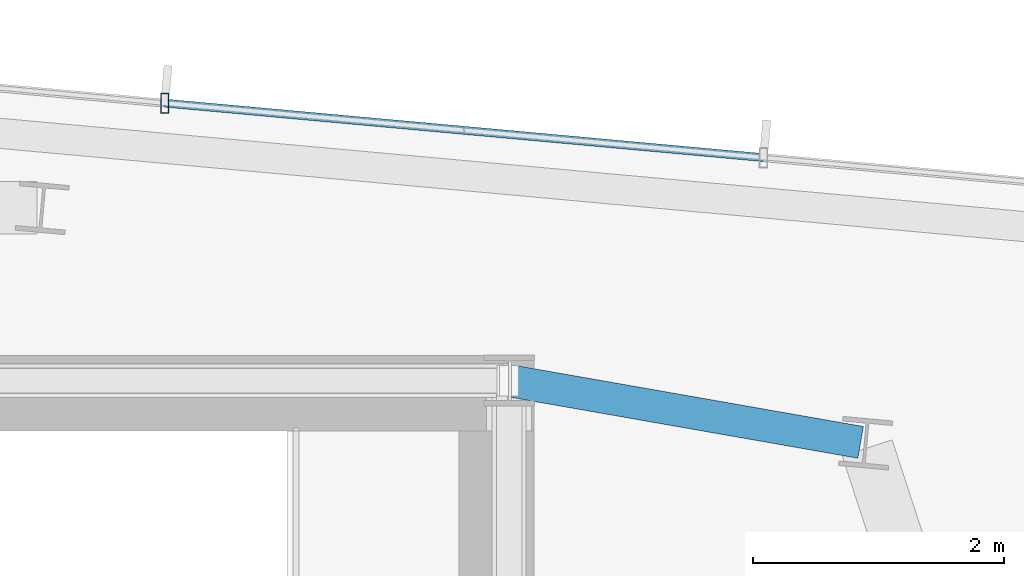
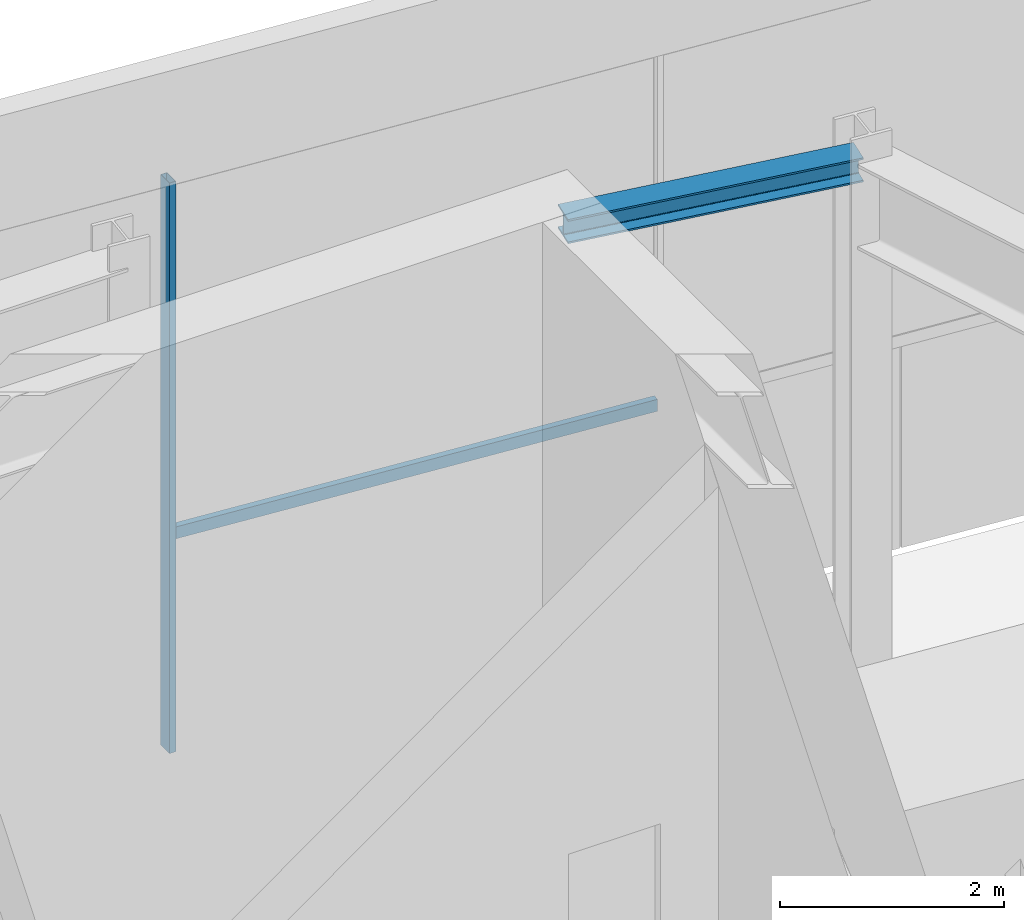
# One storey, part 9 of 18: 2 members, 1 beam, 1 element without a shape of its own.
"""IFC4 building model written with IfcOpenShell, lengths in metres."""

from ifc_helpers import new_model, si_unit, direction, frame, origin, origin_2d, place, context, subcontext, project, spatial, hollow_rectangle, i_section, extrude, source, transform, mapped, material, material_profile, profile_set, type_object, type_shapes, element, aggregate, save


model = new_model("IFC4")

# Units and contexts
model_context = context("Model", 3, precision=1e-05, world=origin(), true_north=direction((0.0, 1.0)))
body_context = subcontext(model_context, "Body", "Model", "MODEL_VIEW")
ifc_project = project(units=[si_unit("LENGTHUNIT", "METRE"), si_unit("AREAUNIT", "SQUARE_METRE"), si_unit("VOLUMEUNIT", "CUBIC_METRE"), si_unit("PLANEANGLEUNIT", "RADIAN"), si_unit("MASSUNIT", "GRAM", prefix="KILO")], contexts=[model_context])

# Site, building, storey
site_placement = place(None, origin())
site = spatial("IfcSite", under=ifc_project, at=site_placement, CompositionType="ELEMENT")
building_placement = place(site_placement, origin())
building = spatial("IfcBuilding", under=site, at=building_placement, Name="Astriad Promenade Condominiums", CompositionType="ELEMENT")
storey_placement = place(building_placement, frame((0.0, 0.0, 290.300048828125)))
storey = spatial("IfcBuildingStorey", under=building, at=storey_placement, Name="L80", CompositionType="ELEMENT", Elevation=290.300048828125)

# Beam
ifc_material_1 = material(Name="Steel ASTM A992 Grade 50", Category="steel")
ifc_material_profile_1 = material_profile(ifc_material_1, i_section(OverallWidth=0.25732421875, OverallDepth=0.26416015625, WebThickness=0.011962890625, FlangeThickness=0.01953125, FilletRadius=0.0126953125, at=origin_2d()), Name="W10X68")
ifc_profile_set_1 = profile_set([ifc_material_profile_1], Name="Steel ASTM A992 Grade 50")
beam_type = type_object("IfcBeamType", Name="STEEL CANOPY BEAM W10X68", PredefinedType="BEAM", material=ifc_profile_set_1)
shared_shape_1 = source(origin(), body_context, "Body", "SweptSolid", [
    extrude(i_section(OverallWidth=0.25732421875, OverallDepth=0.26416015625, WebThickness=0.011962890625, FlangeThickness=0.01953125, FilletRadius=0.0126953125, at=origin_2d()), origin(), (0.0, 0.0, 1.0), 2.809326171875),
])
type_shapes(beam_type, [shared_shape_1])
beam_placement = place(storey_placement, frame((48.406494140625, 23.5078125, 6.087890625), z_axis=(-0.984963251782, 0.172763979578, 0.0), x_axis=(-0.172763979578, -0.984963251782, 0.0)))
element("IfcBeam", 1, at=beam_placement, inside=storey, type_object=beam_type, Name="Primary Floor Girder PG-NE-L80", PredefinedType="BEAM", context=body_context, shape_type="MappedRepresentation", body=[
    mapped(shared_shape_1, transform((0.0, 0.0, 0.0), scale=1.0)),
])

# Curtain wall, members
ifc_material_2 = material(Name="Anodised aluminium Black Dark Glass Unitised", Category="aluminium")
curtain_wall_type = type_object("IfcCurtainWallType", Name="CW-TMD-LANTERN", PredefinedType="USERDEFINED", material=ifc_material_2)
curtain_wall_placement = place(storey_placement, origin())
curtain_wall = element("IfcCurtainWall", 2, at=curtain_wall_placement, inside=storey, type_object=curtain_wall_type, Name="CW-CRN-L80-08", ObjectType="UNITISED_CURTAIN_WALL", PredefinedType="USERDEFINED")
ifc_material_3 = material(Name="Anodised aluminium 6063-T6 Black", Category="aluminium")
ifc_material_profile_2 = material_profile(ifc_material_3, hollow_rectangle(XDim=0.06494140625, YDim=0.159912109375, WallThickness=0.00390625, at=origin_2d()), Name="ALU-MUL-65X160")
ifc_profile_set_2 = profile_set([ifc_material_profile_2], Name="Anodised aluminium 6063-T6 Black")
member_type_1 = type_object("IfcMemberType", Name="MUL-ALU-MUL-65X160", PredefinedType="MULLION", material=ifc_profile_set_2)
shared_shape_2 = source(origin(), body_context, "Body", "SweptSolid", [
    extrude(hollow_rectangle(XDim=0.06494140625, YDim=0.159912109375, WallThickness=0.00390625, at=origin_2d()), origin(), (0.0, 0.0, 1.0), 6.219970703125),
])
type_shapes(member_type_1, [shared_shape_2])
member_1_placement = place(storey_placement, frame((42.85009765625, 26.216552734375, 0.0), z_axis=(0.0, 0.0, 1.0), x_axis=(1.0, 0.0, 0.0)))
member_1 = element("IfcMember", 3, at=member_1_placement, type_object=member_type_1, Name="CW-CRN-L80-08-MUL-05", PredefinedType="MULLION", context=body_context, shape_type="MappedRepresentation", body=[
    mapped(shared_shape_2, transform((0.0, 0.0, 0.0), scale=1.0)),
])
ifc_material_profile_3 = material_profile(ifc_material_3, hollow_rectangle(XDim=0.06494140625, YDim=0.1298828125, WallThickness=0.00390625, at=origin_2d()), Name="ALU-TRN-65X130")
ifc_profile_set_3 = profile_set([ifc_material_profile_3], Name="Anodised aluminium 6063-T6 Black")
member_type_2 = type_object("IfcMemberType", Name="TRN-ALU-TRN-65X130", PredefinedType="USERDEFINED", material=ifc_profile_set_3)
shared_shape_3 = source(origin(), body_context, "Body", "SweptSolid", [
    extrude(hollow_rectangle(XDim=0.06494140625, YDim=0.1298828125, WallThickness=0.00390625, at=origin_2d()), origin(), (0.0, 0.0, 1.0), 4.800048828125),
])
type_shapes(member_type_2, [shared_shape_3])
member_2_placement = place(storey_placement, frame((42.85009765625, 26.216552734375, 2.349853515625), z_axis=(0.995884029465, -0.09063663639, 0.0), x_axis=(0.09063663639, 0.995884029465, 0.0)))
member_2 = element("IfcMember", 4, at=member_2_placement, type_object=member_type_2, Name="CW-CRN-L80-08-TRN-05-0", ObjectType="TRANSOM", PredefinedType="USERDEFINED", context=body_context, shape_type="MappedRepresentation", body=[
    mapped(shared_shape_3, transform((0.0, 0.0, 0.0), scale=1.0)),
])
aggregate(curtain_wall, [member_1, member_2])

save(model, "model.ifc")
